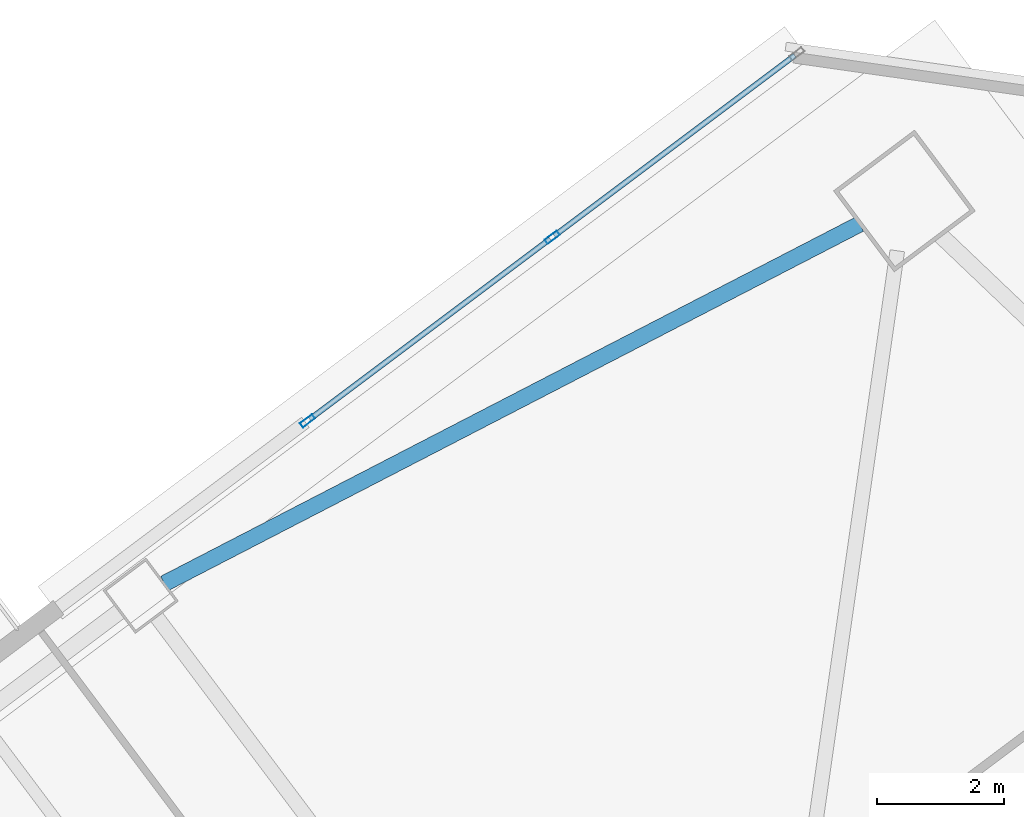
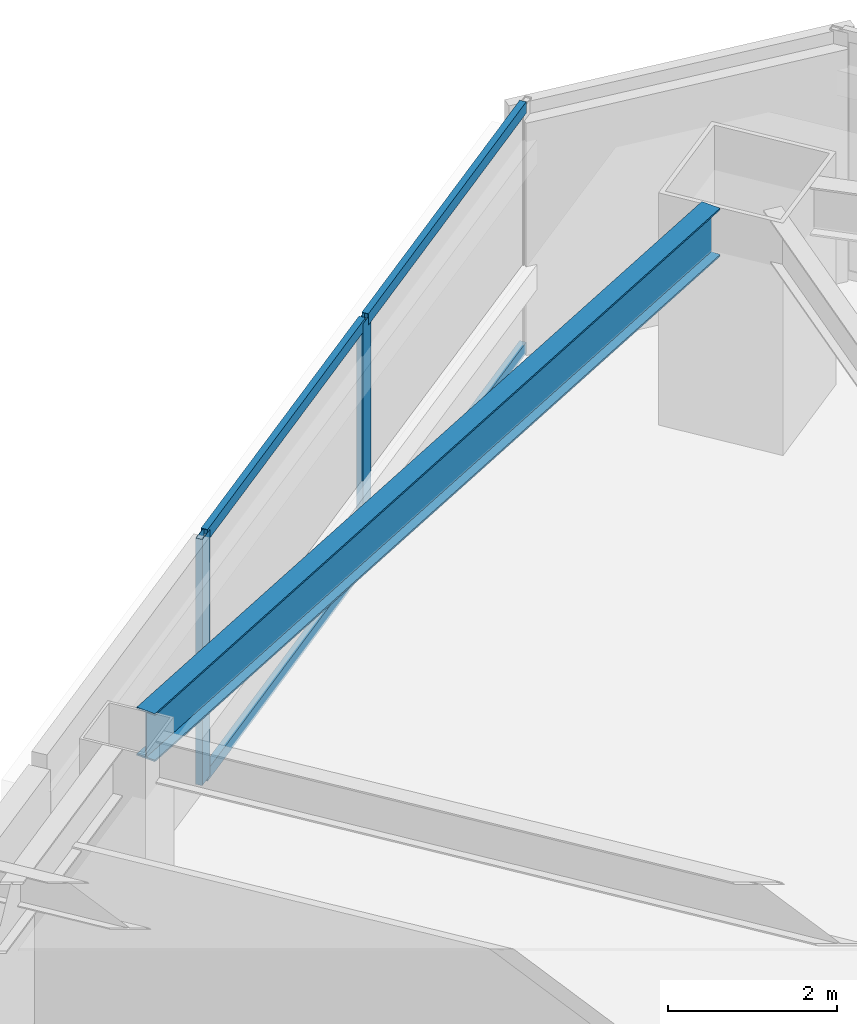
# One storey, part 27 of 45: 6 members, 1 beam, 1 element without a shape of its own.
"""IFC4 building model written with IfcOpenShell, lengths in metres."""

from ifc_helpers import new_model, si_unit, direction, frame, origin, origin_2d, place, context, subcontext, project, spatial, hollow_rectangle, i_section, extrude, material, material_profile, profile_set, type_object, element, aggregate, save


model = new_model("IFC4")

# Units and contexts
model_context = context("Model", 3, precision=1e-05, world=origin(), true_north=direction((0.0, 1.0)))
body_context = subcontext(model_context, "Body", "Model", "MODEL_VIEW")
ifc_project = project(units=[si_unit("LENGTHUNIT", "METRE"), si_unit("AREAUNIT", "SQUARE_METRE"), si_unit("VOLUMEUNIT", "CUBIC_METRE"), si_unit("PLANEANGLEUNIT", "RADIAN"), si_unit("MASSUNIT", "GRAM", prefix="KILO")], contexts=[model_context])

# Site, building, storey
site_placement = place(None, origin())
site = spatial("IfcSite", under=ifc_project, at=site_placement, CompositionType="ELEMENT")
building_placement = place(site_placement, origin())
building = spatial("IfcBuilding", under=site, at=building_placement, Name="Tashvorn Skyway Center", CompositionType="ELEMENT")
storey_placement = place(building_placement, frame((0.0, 0.0, 35.25)))
storey = spatial("IfcBuildingStorey", under=building, at=storey_placement, Name="L08", CompositionType="ELEMENT", Elevation=35.25)

# Beam
ifc_material_1 = material(Name="Steel ASTM A992 Grade 50", Category="steel")
ifc_material_profile_1 = material_profile(ifc_material_1, i_section(OverallWidth=0.256103515625, OverallDepth=0.693115234375, WebThickness=0.014404296875, FlangeThickness=0.023681640625, at=origin_2d()), Name="W27X114")
ifc_profile_set_1 = profile_set([ifc_material_profile_1], Name="Steel ASTM A992 Grade 50")
beam_type = type_object("IfcBeamType", Name="BM-SPANDREL-W27X114", PredefinedType="SPANDREL", material=ifc_profile_set_1)
beam_placement = place(storey_placement, frame((117.0537109375, 57.954833984375, 3.00341796875), z_axis=(-0.888315637339, -0.459233413919, 0.0), x_axis=(0.459233413919, -0.888315637339, 0.0)))
element("IfcBeam", 1, at=beam_placement, inside=storey, type_object=beam_type, Name="Tower 2 L08 Spandrel Beam 07", PredefinedType="SPANDREL", context=body_context, shape_type="SweptSolid", body=[
    extrude(i_section(OverallWidth=0.256103515625, OverallDepth=0.693115234375, WebThickness=0.014404296875, FlangeThickness=0.023681640625, at=origin_2d()), origin(), (0.0, 0.0, 1.0), 12.37255859375),
])

# Curtain wall, members
ifc_material_2 = material(Name="Thermally broken bronze-anodized aluminium 6063-T6", Category="aluminium")
curtain_wall_type = type_object("IfcCurtainWallType", Name="CW-CW-Z1", PredefinedType="NOTDEFINED", material=ifc_material_2)
curtain_wall_placement = place(storey_placement, origin())
curtain_wall = element("IfcCurtainWall", 2, at=curtain_wall_placement, inside=storey, type_object=curtain_wall_type, Name="Tower 2 L08 North Curtain Wall R Glazing Group 1", PredefinedType="NOTDEFINED")
ifc_material_profile_2 = material_profile(ifc_material_2, hollow_rectangle(XDim=0.0849609375, YDim=0.239990234375, WallThickness=0.0048828125, at=origin_2d()), Name="ALU-MULL-85x240")
ifc_profile_set_2 = profile_set([ifc_material_profile_2], Name="Thermally broken bronze-anodized aluminium 6063-T6")
member_type_1 = type_object("IfcMemberType", Name="CWM-CW-Z1", PredefinedType="MULLION", material=ifc_profile_set_2)
member_1_placement = place(storey_placement, frame((108.327392578125, 54.845458984375, 0.0), z_axis=(0.0, 0.0, 1.0), x_axis=(-0.599998359545, 0.800001230339, 0.0)))
member_1 = element("IfcMember", 3, at=member_1_placement, type_object=member_type_1, Name="CW-Z1 mullion 1", PredefinedType="MULLION", context=body_context, shape_type="SweptSolid", body=[
    extrude(hollow_rectangle(XDim=0.0849609375, YDim=0.239990234375, WallThickness=0.0048828125, at=origin_2d()), origin(), (0.0, 0.0, 1.0), 3.550048828125),
])
member_2_placement = place(storey_placement, frame((112.194580078125, 57.74609375, 0.0), z_axis=(0.0, 0.0, 1.0), x_axis=(-0.599998359545, 0.800001230339, 0.0)))
member_2 = element("IfcMember", 4, at=member_2_placement, type_object=member_type_1, Name="CW-Z1 mullion 2", PredefinedType="MULLION", context=body_context, shape_type="SweptSolid", body=[
    extrude(hollow_rectangle(XDim=0.0849609375, YDim=0.239990234375, WallThickness=0.0048828125, at=origin_2d()), origin(), (0.0, 0.0, 1.0), 3.550048828125),
])
ifc_material_profile_3 = material_profile(ifc_material_2, hollow_rectangle(XDim=0.0849609375, YDim=0.1650390625, WallThickness=0.0048828125, at=origin_2d()), Name="ALU-TRAN-85x165")
ifc_profile_set_3 = profile_set([ifc_material_profile_3], Name="Thermally broken bronze-anodized aluminium 6063-T6")
member_type_2 = type_object("IfcMemberType", Name="CWT-CW-Z1", PredefinedType="USERDEFINED", material=ifc_profile_set_3)
member_3_placement = place(storey_placement, frame((108.361328125, 54.87109375, 0.04248046875), z_axis=(0.800012337767, 0.599983549292, 0.0), x_axis=(-0.599983549292, 0.800012337767, 0.0)))
member_3 = element("IfcMember", 5, at=member_3_placement, type_object=member_type_2, Name="CW-Z1 transom 1.1", ObjectType="TRANSOM", PredefinedType="USERDEFINED", context=body_context, shape_type="SweptSolid", body=[
    extrude(hollow_rectangle(XDim=0.0849609375, YDim=0.1650390625, WallThickness=0.0048828125, at=origin_2d()), origin(), (0.0, 0.0, 1.0), 4.7490234375),
])
member_4_placement = place(storey_placement, frame((108.361328125, 54.87109375, 3.507568359375), z_axis=(0.800012337767, 0.599983549292, 0.0), x_axis=(-0.599983549292, 0.800012337767, 0.0)))
member_4 = element("IfcMember", 6, at=member_4_placement, type_object=member_type_2, Name="CW-Z1 transom 1.2", ObjectType="TRANSOM", PredefinedType="USERDEFINED", context=body_context, shape_type="SweptSolid", body=[
    extrude(hollow_rectangle(XDim=0.0849609375, YDim=0.1650390625, WallThickness=0.0048828125, at=origin_2d()), origin(), (0.0, 0.0, 1.0), 4.7490234375),
])
member_5_placement = place(storey_placement, frame((112.228759765625, 57.771484375, 0.04248046875), z_axis=(0.799987662275, 0.600016449947, 0.0), x_axis=(-0.600016449947, 0.799987662275, 0.0)))
member_5 = element("IfcMember", 7, at=member_5_placement, type_object=member_type_2, Name="CW-Z1 transom 2.1", ObjectType="TRANSOM", PredefinedType="USERDEFINED", context=body_context, shape_type="SweptSolid", body=[
    extrude(hollow_rectangle(XDim=0.0849609375, YDim=0.1650390625, WallThickness=0.0048828125, at=origin_2d()), origin(), (0.0, 0.0, 1.0), 4.749267578125),
])
member_6_placement = place(storey_placement, frame((112.228759765625, 57.771484375, 3.507568359375), z_axis=(0.799987662275, 0.600016449947, 0.0), x_axis=(-0.600016449947, 0.799987662275, 0.0)))
member_6 = element("IfcMember", 8, at=member_6_placement, type_object=member_type_2, Name="CW-Z1 transom 2.2", ObjectType="TRANSOM", PredefinedType="USERDEFINED", context=body_context, shape_type="SweptSolid", body=[
    extrude(hollow_rectangle(XDim=0.0849609375, YDim=0.1650390625, WallThickness=0.0048828125, at=origin_2d()), origin(), (0.0, 0.0, 1.0), 4.749267578125),
])
aggregate(curtain_wall, [member_1, member_2, member_3, member_4, member_5, member_6])

save(model, "model.ifc")
